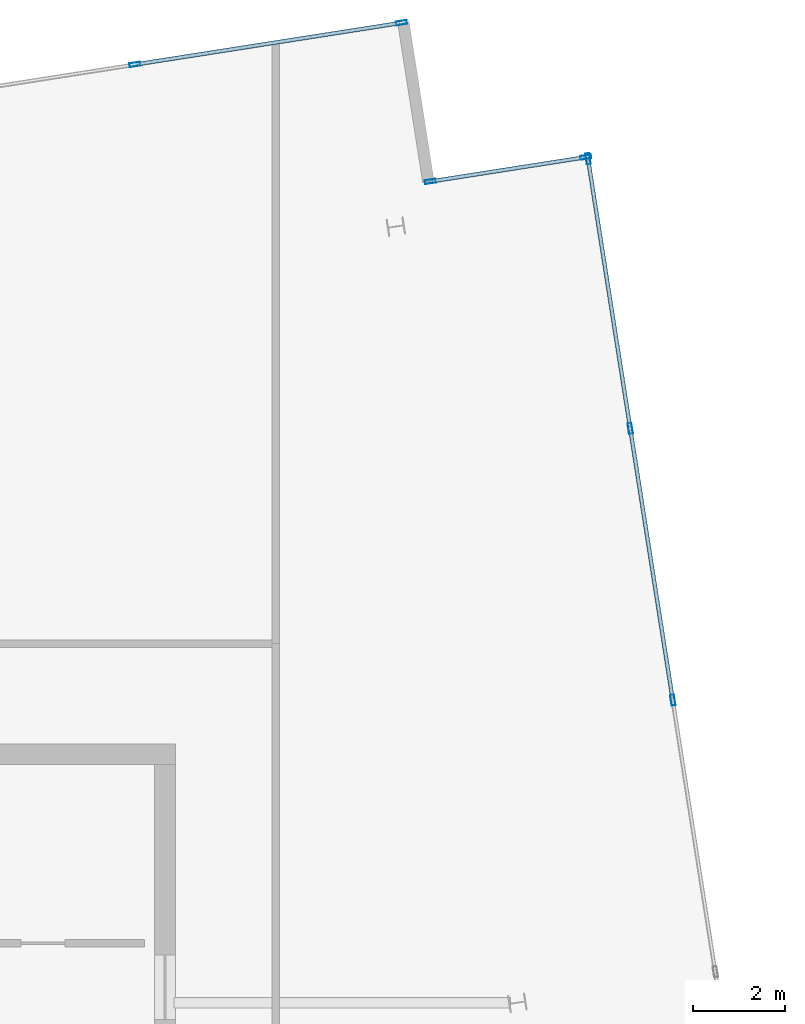
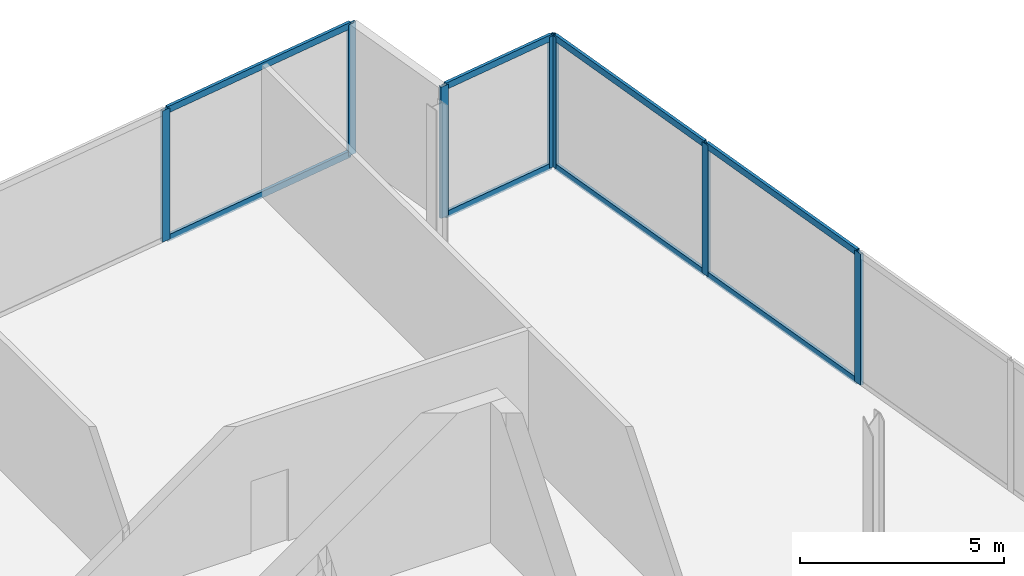
# One storey, part 9 of 13: 15 members, 3 elements without a shape of their own.
"""IFC4 building model written with IfcOpenShell, lengths in metres."""

from ifc_helpers import new_model, si_unit, direction, frame, origin, origin_2d, place, context, subcontext, project, spatial, hollow_rectangle, extrude, material, material_profile, profile_set, type_object, element, aggregate, save


model = new_model("IFC4")

# Units and contexts
model_context = context("Model", 3, precision=1e-05, world=origin(), true_north=direction((0.0, 1.0)))
body_context = subcontext(model_context, "Body", "Model", "MODEL_VIEW")
ifc_project = project(units=[si_unit("LENGTHUNIT", "METRE"), si_unit("AREAUNIT", "SQUARE_METRE"), si_unit("VOLUMEUNIT", "CUBIC_METRE"), si_unit("PLANEANGLEUNIT", "RADIAN"), si_unit("MASSUNIT", "GRAM", prefix="KILO")], contexts=[model_context])

# Site, building, storey
site_placement = place(None, origin())
site = spatial("IfcSite", under=ifc_project, at=site_placement, CompositionType="ELEMENT")
building_placement = place(site_placement, origin())
building = spatial("IfcBuilding", under=site, at=building_placement, Name="Haldenkirk Collegiate Tower", CompositionType="ELEMENT")
storey_placement = place(building_placement, frame((0.0, 0.0, 356.39990234375)))
storey = spatial("IfcBuildingStorey", under=building, at=storey_placement, Name="L90", CompositionType="ELEMENT", Elevation=356.39990234375)

# Curtain wall, members
ifc_material = material(Name="Anodised architectural bronze aluminium", Category="aluminium")
curtain_wall_type = type_object("IfcCurtainWallType", Name="CW-SYS5-LANTERN", PredefinedType="USERDEFINED", material=ifc_material)
curtain_wall_1_placement = place(storey_placement, origin())
curtain_wall_1 = element("IfcCurtainWall", 1, at=curtain_wall_1_placement, inside=storey, type_object=curtain_wall_type, Name="L90 Level L90 glazed crown lantern curtain wall", ObjectType="UNITISED CURTAIN WALL", PredefinedType="USERDEFINED")
ifc_material_profile_1 = material_profile(ifc_material, hollow_rectangle(XDim=0.0849609375, YDim=0.235107421875, WallThickness=0.0048828125, at=origin_2d()), Name="CW-MUL-05")
ifc_profile_set_1 = profile_set([ifc_material_profile_1], Name="Anodised architectural bronze aluminium")
member_type_1 = type_object("IfcMemberType", Name="CW-MUL-05", PredefinedType="MULLION", material=ifc_profile_set_1)
member_1_placement = place(storey_placement, frame((54.181884765625, 46.92236328125, 0.0), z_axis=(0.0, 0.0, 1.0), x_axis=(0.987959532462, 0.154712514742, 0.0)))
member_1 = element("IfcMember", 2, at=member_1_placement, type_object=member_type_1, Name="CW-05 mullion 1", PredefinedType="MULLION", context=body_context, shape_type="SweptSolid", body=[
    extrude(hollow_rectangle(XDim=0.0849609375, YDim=0.235107421875, WallThickness=0.0048828125, at=origin_2d()), origin(), (0.0, 0.0, 1.0), 3.93017578125),
])
member_2_placement = place(storey_placement, frame((55.0986328125, 41.069580078125, 0.0), z_axis=(0.0, 0.0, 1.0), x_axis=(0.987959532462, 0.154712514742, 0.0)))
member_2 = element("IfcMember", 3, at=member_2_placement, type_object=member_type_1, Name="CW-05 mullion 2", PredefinedType="MULLION", context=body_context, shape_type="SweptSolid", body=[
    extrude(hollow_rectangle(XDim=0.0849609375, YDim=0.235107421875, WallThickness=0.0048828125, at=origin_2d()), origin(), (0.0, 0.0, 1.0), 3.93017578125),
])
member_3_placement = place(storey_placement, frame((56.021728515625, 35.174560546875, 0.0), z_axis=(0.0, 0.0, 1.0), x_axis=(0.987959532462, 0.154712514742, 0.0)))
member_3 = element("IfcMember", 4, at=member_3_placement, type_object=member_type_1, Name="CW-05 mullion 3", PredefinedType="MULLION", context=body_context, shape_type="SweptSolid", body=[
    extrude(hollow_rectangle(XDim=0.0849609375, YDim=0.235107421875, WallThickness=0.0048828125, at=origin_2d()), origin(), (0.0, 0.0, 1.0), 3.93017578125),
])

curtain_wall_2_placement = place(storey_placement, origin())
curtain_wall_2 = element("IfcCurtainWall", 5, at=curtain_wall_2_placement, inside=storey, type_object=curtain_wall_type, Name="L90 Level L90 glazed crown lantern curtain wall", ObjectType="UNITISED CURTAIN WALL", PredefinedType="USERDEFINED")
member_4_placement = place(storey_placement, frame((50.759521484375, 46.429443359375, 0.0), z_axis=(0.0, 0.0, 1.0), x_axis=(-0.154688904071, 0.987963229557, 0.0)))
member_4 = element("IfcMember", 6, at=member_4_placement, type_object=member_type_1, Name="CW-05 mullion 1", PredefinedType="MULLION", context=body_context, shape_type="SweptSolid", body=[
    extrude(hollow_rectangle(XDim=0.0849609375, YDim=0.235107421875, WallThickness=0.0048828125, at=origin_2d()), origin(), (0.0, 0.0, 1.0), 3.93017578125),
])
member_5_placement = place(storey_placement, frame((54.13330078125, 46.957763671875, 0.0), z_axis=(0.0, 0.0, 1.0), x_axis=(-0.154688904071, 0.987963229557, 0.0)))
member_5 = element("IfcMember", 7, at=member_5_placement, type_object=member_type_1, Name="CW-05 mullion 2", PredefinedType="MULLION", context=body_context, shape_type="SweptSolid", body=[
    extrude(hollow_rectangle(XDim=0.0849609375, YDim=0.235107421875, WallThickness=0.0048828125, at=origin_2d()), origin(), (0.0, 0.0, 1.0), 3.93017578125),
])

curtain_wall_3_placement = place(storey_placement, origin())
curtain_wall_3 = element("IfcCurtainWall", 8, at=curtain_wall_3_placement, inside=storey, type_object=curtain_wall_type, Name="L90 Level L90 glazed crown lantern curtain wall", ObjectType="UNITISED CURTAIN WALL", PredefinedType="USERDEFINED")
member_6_placement = place(storey_placement, frame((44.34716796875, 48.968017578125, 0.0), z_axis=(0.0, 0.0, 1.0), x_axis=(-0.154708982189, 0.987960085646, 0.0)))
member_6 = element("IfcMember", 9, at=member_6_placement, type_object=member_type_1, Name="CW-05 mullion 6", PredefinedType="MULLION", context=body_context, shape_type="SweptSolid", body=[
    extrude(hollow_rectangle(XDim=0.0849609375, YDim=0.235107421875, WallThickness=0.0048828125, at=origin_2d()), origin(), (0.0, 0.0, 1.0), 3.93017578125),
])
member_7_placement = place(storey_placement, frame((50.134033203125, 49.8740234375, 0.0), z_axis=(0.0, 0.0, 1.0), x_axis=(-0.154708982189, 0.987960085646, 0.0)))
member_7 = element("IfcMember", 10, at=member_7_placement, type_object=member_type_1, Name="CW-05 mullion 7", PredefinedType="MULLION", context=body_context, shape_type="SweptSolid", body=[
    extrude(hollow_rectangle(XDim=0.0849609375, YDim=0.235107421875, WallThickness=0.0048828125, at=origin_2d()), origin(), (0.0, 0.0, 1.0), 3.93017578125),
])

# Member
ifc_material_profile_2 = material_profile(ifc_material, hollow_rectangle(XDim=0.0849609375, YDim=0.195068359375, WallThickness=0.0048828125, at=origin_2d()), Name="CW-TRN-05")
ifc_profile_set_2 = profile_set([ifc_material_profile_2], Name="Anodised architectural bronze aluminium")
member_type_2 = type_object("IfcMemberType", Name="CW-TRN-05", PredefinedType="USERDEFINED", material=ifc_profile_set_2)
member_8_placement = place(storey_placement, frame((54.1884765625, 46.88037109375, 0.04248046875), z_axis=(0.154742926164, -0.987954769614, 0.0), x_axis=(0.987954769614, 0.154742926164, 0.0)))
member_8 = element("IfcMember", 11, at=member_8_placement, type_object=member_type_2, Name="CW-05 transom 1.1", ObjectType="TRANSOM", PredefinedType="USERDEFINED", context=body_context, shape_type="SweptSolid", body=[
    extrude(hollow_rectangle(XDim=0.0849609375, YDim=0.195068359375, WallThickness=0.0048828125, at=origin_2d()), origin(), (0.0, 0.0, 1.0), 5.839111328125),
])

member_9_placement = place(storey_placement, frame((54.1884765625, 46.88037109375, 3.8876953125), z_axis=(0.154742926164, -0.987954769614, 0.0), x_axis=(0.987954769614, 0.154742926164, 0.0)))
member_9 = element("IfcMember", 12, at=member_9_placement, type_object=member_type_2, Name="CW-05 transom 1.2", ObjectType="TRANSOM", PredefinedType="USERDEFINED", context=body_context, shape_type="SweptSolid", body=[
    extrude(hollow_rectangle(XDim=0.0849609375, YDim=0.195068359375, WallThickness=0.0048828125, at=origin_2d()), origin(), (0.0, 0.0, 1.0), 5.839111328125),
])

member_10_placement = place(storey_placement, frame((55.10498046875, 41.027587890625, 0.04248046875), z_axis=(0.154738999821, -0.987955384587, 0.0), x_axis=(0.987955384587, 0.154738999821, 0.0)))
member_10 = element("IfcMember", 13, at=member_10_placement, type_object=member_type_2, Name="CW-05 transom 2.1", ObjectType="TRANSOM", PredefinedType="USERDEFINED", context=body_context, shape_type="SweptSolid", body=[
    extrude(hollow_rectangle(XDim=0.0849609375, YDim=0.195068359375, WallThickness=0.0048828125, at=origin_2d()), origin(), (0.0, 0.0, 1.0), 5.8818359375),
])

member_11_placement = place(storey_placement, frame((55.10498046875, 41.027587890625, 3.8876953125), z_axis=(0.154738999821, -0.987955384587, 0.0), x_axis=(0.987955384587, 0.154738999821, 0.0)))
member_11 = element("IfcMember", 14, at=member_11_placement, type_object=member_type_2, Name="CW-05 transom 2.2", ObjectType="TRANSOM", PredefinedType="USERDEFINED", context=body_context, shape_type="SweptSolid", body=[
    extrude(hollow_rectangle(XDim=0.0849609375, YDim=0.195068359375, WallThickness=0.0048828125, at=origin_2d()), origin(), (0.0, 0.0, 1.0), 5.8818359375),
])

aggregate(curtain_wall_1, [member_1, member_2, member_3, member_8, member_9, member_10, member_11])

member_12_placement = place(storey_placement, frame((50.801513671875, 46.43603515625, 0.04248046875), z_axis=(0.987961307869, 0.154701176965, 0.0), x_axis=(-0.154701176965, 0.987961307869, 0.0)))
member_12 = element("IfcMember", 15, at=member_12_placement, type_object=member_type_2, Name="CW-05 transom 1.1", ObjectType="TRANSOM", PredefinedType="USERDEFINED", context=body_context, shape_type="SweptSolid", body=[
    extrude(hollow_rectangle(XDim=0.0849609375, YDim=0.195068359375, WallThickness=0.0048828125, at=origin_2d()), origin(), (0.0, 0.0, 1.0), 3.329833984375),
])

member_13_placement = place(storey_placement, frame((50.801513671875, 46.43603515625, 3.8876953125), z_axis=(0.987961307869, 0.154701176965, 0.0), x_axis=(-0.154701176965, 0.987961307869, 0.0)))
member_13 = element("IfcMember", 16, at=member_13_placement, type_object=member_type_2, Name="CW-05 transom 1.2", ObjectType="TRANSOM", PredefinedType="USERDEFINED", context=body_context, shape_type="SweptSolid", body=[
    extrude(hollow_rectangle(XDim=0.0849609375, YDim=0.195068359375, WallThickness=0.0048828125, at=origin_2d()), origin(), (0.0, 0.0, 1.0), 3.329833984375),
])

aggregate(curtain_wall_2, [member_4, member_5, member_12, member_13])

member_14_placement = place(storey_placement, frame((44.38916015625, 48.974609375, 0.04248046875), z_axis=(0.98796582406, 0.154672332659, 0.0), x_axis=(-0.154672332659, 0.98796582406, 0.0)))
member_14 = element("IfcMember", 17, at=member_14_placement, type_object=member_type_2, Name="CW-05 transom 6.1", ObjectType="TRANSOM", PredefinedType="USERDEFINED", context=body_context, shape_type="SweptSolid", body=[
    extrude(hollow_rectangle(XDim=0.0849609375, YDim=0.195068359375, WallThickness=0.0048828125, at=origin_2d()), origin(), (0.0, 0.0, 1.0), 5.7724609375),
])

member_15_placement = place(storey_placement, frame((44.38916015625, 48.974609375, 3.8876953125), z_axis=(0.98796582406, 0.154672332659, 0.0), x_axis=(-0.154672332659, 0.98796582406, 0.0)))
member_15 = element("IfcMember", 18, at=member_15_placement, type_object=member_type_2, Name="CW-05 transom 6.2", ObjectType="TRANSOM", PredefinedType="USERDEFINED", context=body_context, shape_type="SweptSolid", body=[
    extrude(hollow_rectangle(XDim=0.0849609375, YDim=0.195068359375, WallThickness=0.0048828125, at=origin_2d()), origin(), (0.0, 0.0, 1.0), 5.7724609375),
])

aggregate(curtain_wall_3, [member_6, member_7, member_14, member_15])

save(model, "model.ifc")
